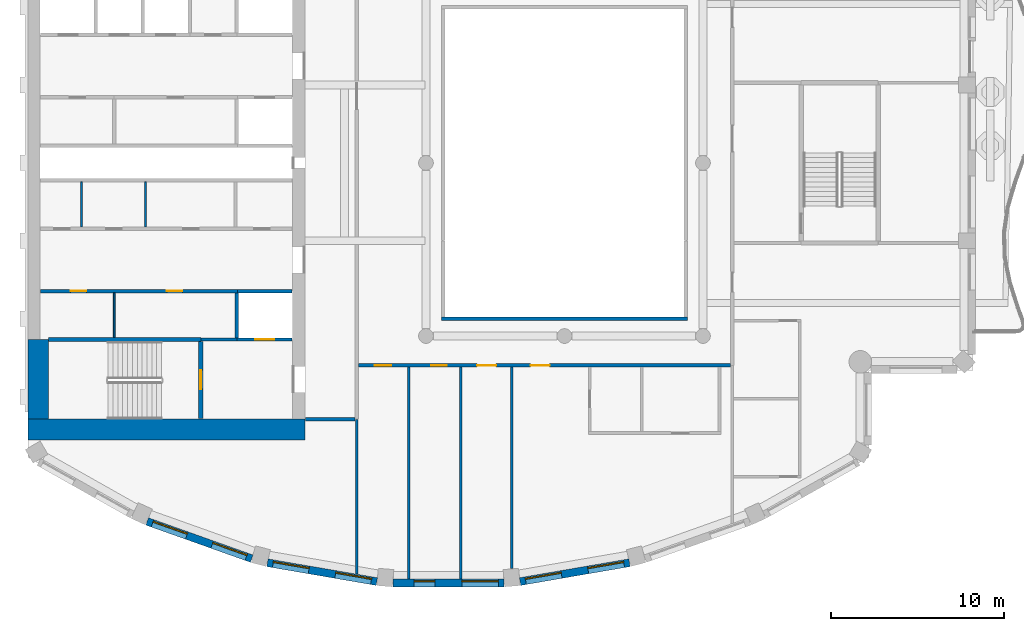
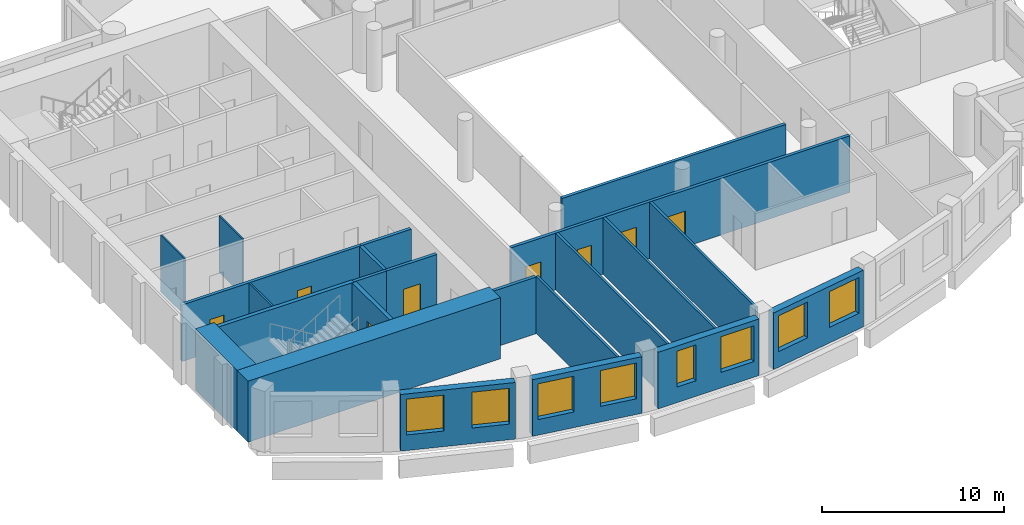
# One storey, part 4 of 14: 23 walls, 8 doors, 8 windows, 16 openings.
"""IFC4 building model written with IfcOpenShell, lengths in metres."""

from ifc_helpers import new_model, si_unit, direction, frame, frame_2d, origin, place, context, subcontext, project, spatial, rectangle, extrude, material, layer, layer_set, type_object, element, fill, save


model = new_model("IFC4")

# Units and contexts
model_context = context("Model", 3, precision=1e-05, world=origin(), true_north=direction((0.0, 1.0)))
body_context = subcontext(model_context, "Body", "Model", "MODEL_VIEW")
ifc_project = project(units=[si_unit("LENGTHUNIT", "METRE"), si_unit("AREAUNIT", "SQUARE_METRE"), si_unit("VOLUMEUNIT", "CUBIC_METRE"), si_unit("PLANEANGLEUNIT", "RADIAN"), si_unit("MASSUNIT", "GRAM", prefix="KILO")], contexts=[model_context])

# Site, building, storey
site_placement = place(None, origin())
site = spatial("IfcSite", under=ifc_project, at=site_placement, CompositionType="ELEMENT")
building_placement = place(site_placement, origin())
building = spatial("IfcBuilding", under=site, at=building_placement, Name="Cypress Arch Tower", CompositionType="ELEMENT")
storey_placement = place(building_placement, frame((0.0, 0.0, 276.199951171875)))
storey = spatial("IfcBuildingStorey", under=building, at=storey_placement, Name="L62", CompositionType="ELEMENT", Elevation=276.199951171875)

# Wall, openings, windows
ifc_material_1 = material(Name="Brick (red buff blend)", Category="masonry")
ifc_layer_1 = layer(ifc_material_1, 0.449951171875)
ifc_layer_set_1 = layer_set([ifc_layer_1], Name="Brick pier and spandrel wall BW450")
wall_type_1 = type_object("IfcWallType", Name="Brick pier and spandrel wall BW450", PredefinedType="SOLIDWALL", material=ifc_layer_set_1)
wall_1_placement = place(storey_placement, frame((-23.10498046875, -20.70947265625, 0.0), z_axis=(0.0, 0.0, 1.0), x_axis=(0.942104058931, -0.335320655711, 0.0)))
wall_1 = element("IfcWall", 1, at=wall_1_placement, inside=storey, type_object=wall_type_1, Name="Brick wall L62 C09.0", PredefinedType="SOLIDWALL", context=body_context, shape_type="SweptSolid", body=[
    extrude(rectangle(XDim=6.411376953125, YDim=0.449951171875, at=frame_2d((3.20556640625, 0.0))), origin(), (0.0, 0.0, 1.0), 3.800048828125),
])
opening_1_placement = place(wall_1_placement, frame((0.3271484375, 0.0, 1.050048828125)))
opening_1 = element("IfcOpeningElement", 2, at=opening_1_placement, cuts=wall_1, Name="Opening W210O", PredefinedType="OPENING", context=body_context, shape_type="SweptSolid", body=[
    extrude(rectangle(XDim=2.10009765625, YDim=2.39990234375, at=frame_2d((1.050048828125, 1.199951171875))), frame((0.0, 0.23486328125, 0.0), z_axis=(0.0, -1.0, 0.0), x_axis=(1.0, 0.0, 0.0)), (0.0, 0.0, 1.0), 0.469970703125),
])
opening_2_placement = place(wall_1_placement, frame((3.984619140625, 0.0, 1.050048828125)))
opening_2 = element("IfcOpeningElement", 3, at=opening_2_placement, cuts=wall_1, Name="Opening W210O", PredefinedType="OPENING", context=body_context, shape_type="SweptSolid", body=[
    extrude(rectangle(XDim=2.10009765625, YDim=2.39990234375, at=frame_2d((1.050048828125, 1.199951171875))), frame((0.0, 0.23486328125, 0.0), z_axis=(0.0, -1.0, 0.0), x_axis=(1.0, 0.0, 0.0)), (0.0, 0.0, 1.0), 0.469970703125),
])
ifc_material_2 = material(Name="Anodised aluminium, bronze finish, clear low-emissivity double glazing", Category="aluminium")
window_type_1 = type_object("IfcWindowType", Name="Window Office 2100x2400", PartitioningType="SINGLE_PANEL", PredefinedType="WINDOW", material=ifc_material_2)
window_1_placement = place(opening_1_placement, origin())
window_1 = element("IfcWindow", 4, at=window_1_placement, inside=storey, type_object=window_type_1, Name="Window L62 C09.0.1", OverallHeight=2.39990234375, OverallWidth=2.10009765625, PartitioningType="SINGLE_PANEL", PredefinedType="WINDOW", context=body_context, shape_type="SweptSolid", body=[
    extrude(rectangle(XDim=2.10009765625, YDim=2.39990234375, at=frame_2d((1.050048828125, 1.199951171875))), frame((0.0, 0.135009765625, 0.0), z_axis=(0.0, -1.0, 0.0), x_axis=(1.0, 0.0, 0.0)), (0.0, 0.0, 1.0), 0.06005859375),
])
fill(opening_1, window_1)
window_2_placement = place(opening_2_placement, origin())
window_2 = element("IfcWindow", 5, at=window_2_placement, inside=storey, type_object=window_type_1, Name="Window L62 C09.0.2", OverallHeight=2.39990234375, OverallWidth=2.10009765625, PartitioningType="SINGLE_PANEL", PredefinedType="WINDOW", context=body_context, shape_type="SweptSolid", body=[
    extrude(rectangle(XDim=2.10009765625, YDim=2.39990234375, at=frame_2d((1.050048828125, 1.199951171875))), frame((0.0, 0.135009765625, 0.0), z_axis=(0.0, -1.0, 0.0), x_axis=(1.0, 0.0, 0.0)), (0.0, 0.0, 1.0), 0.06005859375),
])
fill(opening_2, window_2)

wall_2_placement = place(storey_placement, frame((-16.15673828125, -23.09716796875, 0.0), z_axis=(0.0, 0.0, 1.0), x_axis=(0.985502073964, -0.169663379113, 0.0)))
wall_2 = element("IfcWall", 6, at=wall_2_placement, inside=storey, type_object=wall_type_1, Name="Brick wall L62 C10.0", PredefinedType="SOLIDWALL", context=body_context, shape_type="SweptSolid", body=[
    extrude(rectangle(XDim=6.412109375, YDim=0.449951171875, at=frame_2d((3.2060546875, 0.0))), origin(), (0.0, 0.0, 1.0), 3.800048828125),
])
opening_3_placement = place(wall_2_placement, frame((0.3271484375, 0.0, 1.050048828125)))
opening_3 = element("IfcOpeningElement", 7, at=opening_3_placement, cuts=wall_2, Name="Opening W210O", PredefinedType="OPENING", context=body_context, shape_type="SweptSolid", body=[
    extrude(rectangle(XDim=2.10009765625, YDim=2.39990234375, at=frame_2d((1.050048828125, 1.199951171875))), frame((0.0, 0.23486328125, 0.0), z_axis=(0.0, -1.0, 0.0), x_axis=(1.0, 0.0, 0.0)), (0.0, 0.0, 1.0), 0.469970703125),
])
opening_4_placement = place(wall_2_placement, frame((3.98486328125, 0.0, 1.050048828125)))
opening_4 = element("IfcOpeningElement", 8, at=opening_4_placement, cuts=wall_2, Name="Opening W210O", PredefinedType="OPENING", context=body_context, shape_type="SweptSolid", body=[
    extrude(rectangle(XDim=2.10009765625, YDim=2.39990234375, at=frame_2d((1.050048828125, 1.199951171875))), frame((0.0, 0.23486328125, 0.0), z_axis=(0.0, -1.0, 0.0), x_axis=(1.0, 0.0, 0.0)), (0.0, 0.0, 1.0), 0.469970703125),
])
window_3_placement = place(opening_3_placement, origin())
window_3 = element("IfcWindow", 9, at=window_3_placement, inside=storey, type_object=window_type_1, Name="Window L62 C10.0.1", OverallHeight=2.39990234375, OverallWidth=2.10009765625, PartitioningType="SINGLE_PANEL", PredefinedType="WINDOW", context=body_context, shape_type="SweptSolid", body=[
    extrude(rectangle(XDim=2.10009765625, YDim=2.39990234375, at=frame_2d((1.050048828125, 1.199951171875))), frame((0.0, 0.135009765625, 0.0), z_axis=(0.0, -1.0, 0.0), x_axis=(1.0, 0.0, 0.0)), (0.0, 0.0, 1.0), 0.06005859375),
])
fill(opening_3, window_3)
window_4_placement = place(opening_4_placement, origin())
window_4 = element("IfcWindow", 10, at=window_4_placement, inside=storey, type_object=window_type_1, Name="Window L62 C10.0.2", OverallHeight=2.39990234375, OverallWidth=2.10009765625, PartitioningType="SINGLE_PANEL", PredefinedType="WINDOW", context=body_context, shape_type="SweptSolid", body=[
    extrude(rectangle(XDim=2.10009765625, YDim=2.39990234375, at=frame_2d((1.050048828125, 1.199951171875))), frame((0.0, 0.135009765625, 0.0), z_axis=(0.0, -1.0, 0.0), x_axis=(1.0, 0.0, 0.0)), (0.0, 0.0, 1.0), 0.06005859375),
])
fill(opening_4, window_4)

wall_3_placement = place(storey_placement, frame((-8.90283203125, -24.264892578125, 0.0), z_axis=(0.0, 0.0, 1.0), x_axis=(1.0, 0.0, 0.0)))
wall_3 = element("IfcWall", 11, at=wall_3_placement, inside=storey, type_object=wall_type_1, Name="Brick wall L62 C11.0", PredefinedType="SOLIDWALL", context=body_context, shape_type="SweptSolid", body=[
    extrude(rectangle(XDim=6.405517578125, YDim=0.449951171875, at=frame_2d((3.20263671875, 0.0))), origin(), (0.0, 0.0, 1.0), 3.800048828125),
])
opening_5_placement = place(wall_3_placement, frame((3.97998046875, 0.0, 1.050048828125)))
opening_5 = element("IfcOpeningElement", 12, at=opening_5_placement, cuts=wall_3, Name="Opening W210O", PredefinedType="OPENING", context=body_context, shape_type="SweptSolid", body=[
    extrude(rectangle(XDim=2.10009765625, YDim=2.39990234375, at=frame_2d((1.050048828125, 1.199951171875))), frame((0.0, 0.23486328125, 0.0), z_axis=(0.0, -1.0, 0.0), x_axis=(1.0, 0.0, 0.0)), (0.0, 0.0, 1.0), 0.469970703125),
])
opening_6_placement = place(wall_3_placement, frame((1.214111328125, 0.0, 1.050048828125)))
opening_6 = element("IfcOpeningElement", 13, at=opening_6_placement, cuts=wall_3, Name="Opening W120O", PredefinedType="OPENING", context=body_context, shape_type="SweptSolid", body=[
    extrude(rectangle(XDim=1.199951171875, YDim=2.39990234375, at=frame_2d((0.60009765625, 1.199951171875))), frame((0.0, 0.23486328125, 0.0), z_axis=(0.0, -1.0, 0.0), x_axis=(1.0, 0.0, 0.0)), (0.0, 0.0, 1.0), 0.469970703125),
])
ifc_material_3 = material(Name="Anodised aluminium, bronze finish, clear low-emissivity double glazing", Category="aluminium")
window_type_2 = type_object("IfcWindowType", Name="Window Office 1200x2400", PartitioningType="SINGLE_PANEL", PredefinedType="WINDOW", material=ifc_material_3)
window_5_placement = place(opening_6_placement, origin())
window_5 = element("IfcWindow", 14, at=window_5_placement, inside=storey, type_object=window_type_2, Name="Window L62 C11.0.1", OverallHeight=2.39990234375, OverallWidth=1.199951171875, PartitioningType="SINGLE_PANEL", PredefinedType="WINDOW", context=body_context, shape_type="SweptSolid", body=[
    extrude(rectangle(XDim=1.199951171875, YDim=2.39990234375, at=frame_2d((0.60009765625, 1.199951171875))), frame((0.0, 0.135009765625, 0.0), z_axis=(0.0, -1.0, 0.0), x_axis=(1.0, 0.0, 0.0)), (0.0, 0.0, 1.0), 0.06005859375),
])
fill(opening_6, window_5)
window_6_placement = place(opening_5_placement, origin())
window_6 = element("IfcWindow", 15, at=window_6_placement, inside=storey, type_object=window_type_1, Name="Window L62 C11.0.2", OverallHeight=2.39990234375, OverallWidth=2.10009765625, PartitioningType="SINGLE_PANEL", PredefinedType="WINDOW", context=body_context, shape_type="SweptSolid", body=[
    extrude(rectangle(XDim=2.10009765625, YDim=2.39990234375, at=frame_2d((1.050048828125, 1.199951171875))), frame((0.0, 0.135009765625, 0.0), z_axis=(0.0, -1.0, 0.0), x_axis=(1.0, 0.0, 0.0)), (0.0, 0.0, 1.0), 0.06005859375),
])
fill(opening_5, window_6)

wall_4_placement = place(storey_placement, frame((-1.562255859375, -24.18505859375, 0.0), z_axis=(0.0, 0.0, 1.0), x_axis=(0.985502073964, 0.169663379113, 0.0)))
wall_4 = element("IfcWall", 16, at=wall_4_placement, inside=storey, type_object=wall_type_1, Name="Brick wall L62 C12.0", PredefinedType="SOLIDWALL", context=body_context, shape_type="SweptSolid", body=[
    extrude(rectangle(XDim=6.412109375, YDim=0.449951171875, at=frame_2d((3.2060546875, 0.0))), origin(), (0.0, 0.0, 1.0), 3.800048828125),
])
opening_7_placement = place(wall_4_placement, frame((0.3271484375, 0.0, 1.050048828125)))
opening_7 = element("IfcOpeningElement", 17, at=opening_7_placement, cuts=wall_4, Name="Opening W210O", PredefinedType="OPENING", context=body_context, shape_type="SweptSolid", body=[
    extrude(rectangle(XDim=2.10009765625, YDim=2.39990234375, at=frame_2d((1.050048828125, 1.199951171875))), frame((0.0, 0.23486328125, 0.0), z_axis=(0.0, -1.0, 0.0), x_axis=(1.0, 0.0, 0.0)), (0.0, 0.0, 1.0), 0.469970703125),
])
opening_8_placement = place(wall_4_placement, frame((3.98486328125, 0.0, 1.050048828125)))
opening_8 = element("IfcOpeningElement", 18, at=opening_8_placement, cuts=wall_4, Name="Opening W210O", PredefinedType="OPENING", context=body_context, shape_type="SweptSolid", body=[
    extrude(rectangle(XDim=2.10009765625, YDim=2.39990234375, at=frame_2d((1.050048828125, 1.199951171875))), frame((0.0, 0.23486328125, 0.0), z_axis=(0.0, -1.0, 0.0), x_axis=(1.0, 0.0, 0.0)), (0.0, 0.0, 1.0), 0.469970703125),
])
window_7_placement = place(opening_7_placement, origin())
window_7 = element("IfcWindow", 19, at=window_7_placement, inside=storey, type_object=window_type_1, Name="Window L62 C12.0.1", OverallHeight=2.39990234375, OverallWidth=2.10009765625, PartitioningType="SINGLE_PANEL", PredefinedType="WINDOW", context=body_context, shape_type="SweptSolid", body=[
    extrude(rectangle(XDim=2.10009765625, YDim=2.39990234375, at=frame_2d((1.050048828125, 1.199951171875))), frame((0.0, 0.135009765625, 0.0), z_axis=(0.0, -1.0, 0.0), x_axis=(1.0, 0.0, 0.0)), (0.0, 0.0, 1.0), 0.06005859375),
])
fill(opening_7, window_7)
window_8_placement = place(opening_8_placement, origin())
window_8 = element("IfcWindow", 20, at=window_8_placement, inside=storey, type_object=window_type_1, Name="Window L62 C12.0.2", OverallHeight=2.39990234375, OverallWidth=2.10009765625, PartitioningType="SINGLE_PANEL", PredefinedType="WINDOW", context=body_context, shape_type="SweptSolid", body=[
    extrude(rectangle(XDim=2.10009765625, YDim=2.39990234375, at=frame_2d((1.050048828125, 1.199951171875))), frame((0.0, 0.135009765625, 0.0), z_axis=(0.0, -1.0, 0.0), x_axis=(1.0, 0.0, 0.0)), (0.0, 0.0, 1.0), 0.06005859375),
])
fill(opening_8, window_8)

# Walls
ifc_material_4 = material(Name="Concrete C60/75", Category="concrete")
ifc_layer_2 = layer(ifc_material_4, 1.199951171875)
ifc_layer_set_2 = layer_set([ifc_layer_2], Name="Core wall CW1200 C60/75")
wall_type_2 = type_object("IfcWallType", Name="Core wall CW1200 C60/75", PredefinedType="SHEAR", material=ifc_layer_set_2)
wall_5_placement = place(storey_placement, frame((-30.0, -15.39990234375, 0.0), z_axis=(0.0, 0.0, 1.0), x_axis=(1.0, 0.0, 0.0)))
element("IfcWall", 21, at=wall_5_placement, inside=storey, type_object=wall_type_2, Name="Core wall", PredefinedType="SHEAR", context=body_context, shape_type="SweptSolid", body=[
    extrude(rectangle(XDim=16.0, YDim=1.199951171875, at=frame_2d((8.0, 0.0))), origin(), (0.0, 0.0, 1.0), 4.10009765625),
])
wall_6_placement = place(storey_placement, frame((-29.39990234375, -14.800048828125, 0.0), z_axis=(0.0, 0.0, 1.0), x_axis=(0.0, 1.0, 0.0)))
element("IfcWall", 22, at=wall_6_placement, inside=storey, type_object=wall_type_2, Name="Core wall", PredefinedType="SHEAR", context=body_context, shape_type="SweptSolid", body=[
    extrude(rectangle(XDim=4.60009765625, YDim=1.199951171875, at=frame_2d((2.300048828125, 0.0))), origin(), (0.0, 0.0, 1.0), 4.10009765625),
])

# Wall, openings, doors
ifc_material_5 = material(Name="Concrete blockwork, plastered, rated", Category="masonry")
ifc_layer_3 = layer(ifc_material_5, 0.199951171875)
ifc_layer_set_3 = layer_set([ifc_layer_3], Name="Corridor wall FW200")
wall_type_3 = type_object("IfcWallType", Name="Corridor wall FW200", PredefinedType="PARTITIONING", material=ifc_layer_set_3)
wall_7_placement = place(storey_placement, frame((-29.27001953125, -7.39990234375, 0.0), z_axis=(0.0, 0.0, 1.0), x_axis=(1.0, 0.0, 0.0)))
wall_7 = element("IfcWall", 23, at=wall_7_placement, inside=storey, type_object=wall_type_3, Name="Corridor wall", PredefinedType="PARTITIONING", context=body_context, shape_type="SweptSolid", body=[
    extrude(rectangle(XDim=11.3701171875, YDim=0.199951171875, at=frame_2d((5.68505859375, 0.0))), origin(), (0.0, 0.0, 1.0), 3.800048828125),
])
opening_9_placement = place(wall_7_placement, frame((1.75, 0.0, 0.0)))
opening_9 = element("IfcOpeningElement", 24, at=opening_9_placement, cuts=wall_7, Name="Opening D05", PredefinedType="OPENING", context=body_context, shape_type="SweptSolid", body=[
    extrude(rectangle(XDim=0.89990234375, YDim=2.199951171875, at=frame_2d((0.449951171875, 1.10009765625))), frame((0.0, 0.10986328125, 0.0), z_axis=(0.0, -1.0, 0.0), x_axis=(1.0, 0.0, 0.0)), (0.0, 0.0, 1.0), 0.219970703125),
])
opening_10_placement = place(wall_7_placement, frame((7.300048828125, 0.0, 0.0)))
opening_10 = element("IfcOpeningElement", 25, at=opening_10_placement, cuts=wall_7, Name="Opening D05", PredefinedType="OPENING", context=body_context, shape_type="SweptSolid", body=[
    extrude(rectangle(XDim=0.89990234375, YDim=2.199951171875, at=frame_2d((0.449951171875, 1.10009765625))), frame((0.0, 0.10986328125, 0.0), z_axis=(0.0, -1.0, 0.0), x_axis=(1.0, 0.0, 0.0)), (0.0, 0.0, 1.0), 0.219970703125),
])
ifc_material_6 = material(Name="Timber flush door", Category="wood")
door_type_1 = type_object("IfcDoorType", Name="Service door D05 900x2200", OperationType="SINGLE_SWING_LEFT", PredefinedType="DOOR", material=ifc_material_6)
door_1_placement = place(opening_9_placement, origin())
door_1 = element("IfcDoor", 26, at=door_1_placement, inside=storey, type_object=door_type_1, Name="Service door", OperationType="SINGLE_SWING_LEFT", OverallHeight=2.199951171875, OverallWidth=0.89990234375, PredefinedType="DOOR", context=body_context, shape_type="SweptSolid", body=[
    extrude(rectangle(XDim=0.89990234375, YDim=2.199951171875, at=frame_2d((0.449951171875, 1.10009765625))), frame((0.0, 0.02490234375, 0.0), z_axis=(0.0, -1.0, 0.0), x_axis=(1.0, 0.0, 0.0)), (0.0, 0.0, 1.0), 0.050048828125),
])
fill(opening_9, door_1)
door_2_placement = place(opening_10_placement, origin())
door_2 = element("IfcDoor", 27, at=door_2_placement, inside=storey, type_object=door_type_1, Name="Service door", OperationType="SINGLE_SWING_RIGHT", OverallHeight=2.199951171875, OverallWidth=0.89990234375, PredefinedType="DOOR", context=body_context, shape_type="SweptSolid", body=[
    extrude(rectangle(XDim=0.89990234375, YDim=2.199951171875, at=frame_2d((0.449951171875, 1.10009765625))), frame((0.0, 0.02490234375, 0.0), z_axis=(0.0, -1.0, 0.0), x_axis=(1.0, 0.0, 0.0)), (0.0, 0.0, 1.0), 0.050048828125),
])
fill(opening_10, door_2)

# Walls
wall_8_placement = place(storey_placement, frame((-20.0, -10.199951171875, 0.0), z_axis=(0.0, 0.0, 1.0), x_axis=(1.0, 0.0, 0.0)))
element("IfcWall", 28, at=wall_8_placement, inside=storey, type_object=wall_type_3, Name="Corridor wall", PredefinedType="PARTITIONING", context=body_context, shape_type="SweptSolid", body=[
    extrude(rectangle(XDim=2.080078125, YDim=0.199951171875, at=frame_2d((1.0400390625, 0.0))), origin(), (0.0, 0.0, 1.0), 3.800048828125),
])
wall_9_placement = place(storey_placement, frame((-13.969970703125, -14.800048828125, 0.0), z_axis=(0.0, 0.0, 1.0), x_axis=(1.0, 0.0, 0.0)))
element("IfcWall", 29, at=wall_9_placement, inside=storey, type_object=wall_type_3, Name="Corridor wall", PredefinedType="PARTITIONING", context=body_context, shape_type="SweptSolid", body=[
    extrude(rectangle(XDim=2.869873046875, YDim=0.199951171875, at=frame_2d((1.43505859375, 0.0))), origin(), (0.0, 0.0, 1.0), 3.800048828125),
])

# Wall, openings, doors
wall_10_placement = place(storey_placement, frame((-10.89990234375, -11.699951171875, 0.0), z_axis=(0.0, 0.0, 1.0), x_axis=(1.0, 0.0, 0.0)))
wall_10 = element("IfcWall", 30, at=wall_10_placement, inside=storey, type_object=wall_type_3, Name="Corridor wall", PredefinedType="PARTITIONING", context=body_context, shape_type="SweptSolid", body=[
    extrude(rectangle(XDim=21.5, YDim=0.199951171875, at=frame_2d((10.75, 0.0))), origin(), (0.0, 0.0, 1.0), 3.800048828125),
])
opening_11_placement = place(wall_10_placement, frame((0.949951171875, 0.0, 0.0)))
opening_11 = element("IfcOpeningElement", 31, at=opening_11_placement, cuts=wall_10, Name="Opening D02", PredefinedType="OPENING", context=body_context, shape_type="SweptSolid", body=[
    extrude(rectangle(XDim=0.949951171875, YDim=2.199951171875, at=frame_2d((0.47509765625, 1.10009765625))), frame((0.0, 0.10986328125, 0.0), z_axis=(0.0, -1.0, 0.0), x_axis=(1.0, 0.0, 0.0)), (0.0, 0.0, 1.0), 0.219970703125),
])
opening_12_placement = place(wall_10_placement, frame((4.199951171875, 0.0, 0.0)))
opening_12 = element("IfcOpeningElement", 32, at=opening_12_placement, cuts=wall_10, Name="Opening D05", PredefinedType="OPENING", context=body_context, shape_type="SweptSolid", body=[
    extrude(rectangle(XDim=0.89990234375, YDim=2.199951171875, at=frame_2d((0.449951171875, 1.10009765625))), frame((0.0, 0.10986328125, 0.0), z_axis=(0.0, -1.0, 0.0), x_axis=(1.0, 0.0, 0.0)), (0.0, 0.0, 1.0), 0.219970703125),
])
opening_13_placement = place(wall_10_placement, frame((6.85009765625, 0.0, 0.0)))
opening_13 = element("IfcOpeningElement", 33, at=opening_13_placement, cuts=wall_10, Name="Opening D01", PredefinedType="OPENING", context=body_context, shape_type="SweptSolid", body=[
    extrude(rectangle(XDim=1.10009765625, YDim=2.39990234375, at=frame_2d((0.550048828125, 1.199951171875))), frame((0.0, 0.10986328125, 0.0), z_axis=(0.0, -1.0, 0.0), x_axis=(1.0, 0.0, 0.0)), (0.0, 0.0, 1.0), 0.219970703125),
])
opening_14_placement = place(wall_10_placement, frame((9.949951171875, 0.0, 0.0)))
opening_14 = element("IfcOpeningElement", 34, at=opening_14_placement, cuts=wall_10, Name="Opening D01", PredefinedType="OPENING", context=body_context, shape_type="SweptSolid", body=[
    extrude(rectangle(XDim=1.10009765625, YDim=2.39990234375, at=frame_2d((0.550048828125, 1.199951171875))), frame((0.0, 0.10986328125, 0.0), z_axis=(0.0, -1.0, 0.0), x_axis=(1.0, 0.0, 0.0)), (0.0, 0.0, 1.0), 0.219970703125),
])
ifc_material_7 = material(Name="Timber flush door, fire resisting", Category="wood")
door_type_2 = type_object("IfcDoorType", Name="Room door D02 950x2200", OperationType="SINGLE_SWING_LEFT", PredefinedType="DOOR", material=ifc_material_7)
door_3_placement = place(opening_11_placement, origin())
door_3 = element("IfcDoor", 35, at=door_3_placement, inside=storey, type_object=door_type_2, Name="Room door", OperationType="SINGLE_SWING_LEFT", OverallHeight=2.199951171875, OverallWidth=0.949951171875, PredefinedType="DOOR", context=body_context, shape_type="SweptSolid", body=[
    extrude(rectangle(XDim=0.949951171875, YDim=2.199951171875, at=frame_2d((0.47509765625, 1.10009765625))), frame((0.0, 0.02490234375, 0.0), z_axis=(0.0, -1.0, 0.0), x_axis=(1.0, 0.0, 0.0)), (0.0, 0.0, 1.0), 0.050048828125),
])
fill(opening_11, door_3)
door_4_placement = place(opening_12_placement, origin())
door_4 = element("IfcDoor", 36, at=door_4_placement, inside=storey, type_object=door_type_1, Name="Service door", OperationType="SINGLE_SWING_LEFT", OverallHeight=2.199951171875, OverallWidth=0.89990234375, PredefinedType="DOOR", context=body_context, shape_type="SweptSolid", body=[
    extrude(rectangle(XDim=0.89990234375, YDim=2.199951171875, at=frame_2d((0.449951171875, 1.10009765625))), frame((0.0, 0.02490234375, 0.0), z_axis=(0.0, -1.0, 0.0), x_axis=(1.0, 0.0, 0.0)), (0.0, 0.0, 1.0), 0.050048828125),
])
fill(opening_12, door_4)
ifc_material_8 = material(Name="Timber flush door, fire resisting, self-closing", Category="wood")
door_type_3 = type_object("IfcDoorType", Name="Unit entrance door D01 1100x2400", OperationType="SINGLE_SWING_LEFT", PredefinedType="DOOR", material=ifc_material_8)
door_5_placement = place(opening_13_placement, origin())
door_5 = element("IfcDoor", 37, at=door_5_placement, inside=storey, type_object=door_type_3, Name="Unit entrance door", OperationType="SINGLE_SWING_LEFT", OverallHeight=2.39990234375, OverallWidth=1.10009765625, PredefinedType="DOOR", context=body_context, shape_type="SweptSolid", body=[
    extrude(rectangle(XDim=1.10009765625, YDim=2.39990234375, at=frame_2d((0.550048828125, 1.199951171875))), frame((0.0, 0.02490234375, 0.0), z_axis=(0.0, -1.0, 0.0), x_axis=(1.0, 0.0, 0.0)), (0.0, 0.0, 1.0), 0.050048828125),
])
fill(opening_13, door_5)
door_6_placement = place(opening_14_placement, origin())
door_6 = element("IfcDoor", 38, at=door_6_placement, inside=storey, type_object=door_type_3, Name="Unit entrance door", OperationType="SINGLE_SWING_RIGHT", OverallHeight=2.39990234375, OverallWidth=1.10009765625, PredefinedType="DOOR", context=body_context, shape_type="SweptSolid", body=[
    extrude(rectangle(XDim=1.10009765625, YDim=2.39990234375, at=frame_2d((0.550048828125, 1.199951171875))), frame((0.0, 0.02490234375, 0.0), z_axis=(0.0, -1.0, 0.0), x_axis=(1.0, 0.0, 0.0)), (0.0, 0.0, 1.0), 0.050048828125),
])
fill(opening_14, door_6)

# Walls
wall_11_placement = place(storey_placement, frame((-6.10009765625, -9.0, 0.0), z_axis=(0.0, 0.0, 1.0), x_axis=(1.0, 0.0, 0.0)))
element("IfcWall", 39, at=wall_11_placement, inside=storey, type_object=wall_type_3, Name="Corridor wall", PredefinedType="PARTITIONING", context=body_context, shape_type="SweptSolid", body=[
    extrude(rectangle(XDim=14.2001953125, YDim=0.199951171875, at=frame_2d((7.10009765625, 0.0))), origin(), (0.0, 0.0, 1.0), 3.800048828125),
])
ifc_material_9 = material(Name="Blockwork, plastered both sides", Category="masonry")
ifc_layer_4 = layer(ifc_material_9, 0.14990234375)
ifc_layer_set_4 = layer_set([ifc_layer_4], Name="Partition PW150")
wall_type_4 = type_object("IfcWallType", Name="Partition PW150", PredefinedType="PARTITIONING", material=ifc_layer_set_4)
wall_12_placement = place(storey_placement, frame((-11.0, -23.756591796875, 0.0), z_axis=(0.0, 0.0, 1.0), x_axis=(0.0, 1.0, 0.0)))
element("IfcWall", 40, at=wall_12_placement, inside=storey, type_object=wall_type_4, Name="Partition", PredefinedType="PARTITIONING", context=body_context, shape_type="SweptSolid", body=[
    extrude(rectangle(XDim=8.9365234375, YDim=0.14990234375, at=frame_2d((4.46826171875, 0.0))), origin(), (0.0, 0.0, 1.0), 3.800048828125),
])
for number, where, z_axis, x_axis, name in (
    (41, (-8.0, -24.0400390625, 0.0), (0.0, 0.0, 1.0), (0.0, 1.0, 0.0), "Partition"),
    (42, (-5.0, -24.0400390625, 0.0), (0.0, 0.0, 1.0), (0.0, 1.0, 0.0), "Partition"),
):
    element("IfcWall", number, at=place(storey_placement, frame(where, z_axis=z_axis, x_axis=x_axis)), inside=storey, type_object=wall_type_4, Name=name, PredefinedType="PARTITIONING", context=body_context, shape_type="SweptSolid", body=[
        extrude(rectangle(XDim=12.239990234375, YDim=0.14990234375, at=frame_2d((6.1201171875, 0.0))), origin(), (0.0, 0.0, 1.0), 3.800048828125),
    ])
wall_13_placement = place(storey_placement, frame((-2.0458984375, -23.441162109375, 0.0), z_axis=(0.0, 0.0, 1.0), x_axis=(0.0, 1.0, 0.0)))
element("IfcWall", 43, at=wall_13_placement, inside=storey, type_object=wall_type_4, Name="Partition", PredefinedType="PARTITIONING", context=body_context, shape_type="SweptSolid", body=[
    extrude(rectangle(XDim=11.64111328125, YDim=0.14990234375, at=frame_2d((5.820556640625, 0.0))), origin(), (0.0, 0.0, 1.0), 3.800048828125),
])
ifc_material_10 = material(Name="Concrete C50/60", Category="concrete")
ifc_layer_5 = layer(ifc_material_10, 0.199951171875)
ifc_layer_set_5 = layer_set([ifc_layer_5], Name="Shaft wall SH200")
wall_type_5 = type_object("IfcWallType", Name="Shaft wall SH200", PredefinedType="SHEAR", material=ifc_layer_set_5)
wall_14_placement = place(storey_placement, frame((-17.919921875, -10.10009765625, 0.0), z_axis=(0.0, 0.0, 1.0), x_axis=(0.0, 1.0, 0.0)))
element("IfcWall", 44, at=wall_14_placement, inside=storey, type_object=wall_type_5, Name="Shaft wall", PredefinedType="SHEAR", context=body_context, shape_type="SweptSolid", body=[
    extrude(rectangle(XDim=2.60009765625, YDim=0.199951171875, at=frame_2d((1.300048828125, 0.0))), origin(), (0.0, 0.0, 1.0), 3.800048828125),
])

# Wall, opening, door
wall_15_placement = place(storey_placement, frame((-17.919921875, -10.199951171875, 0.0), z_axis=(0.0, 0.0, 1.0), x_axis=(1.0, 0.0, 0.0)))
wall_15 = element("IfcWall", 45, at=wall_15_placement, inside=storey, type_object=wall_type_5, Name="Shaft wall", PredefinedType="SHEAR", context=body_context, shape_type="SweptSolid", body=[
    extrude(rectangle(XDim=3.18994140625, YDim=0.199951171875, at=frame_2d((1.594970703125, 0.0))), origin(), (0.0, 0.0, 1.0), 3.800048828125),
])
opening_15_placement = place(wall_15_placement, frame((1.050048828125, 0.0, 0.0)))
opening_15 = element("IfcOpeningElement", 46, at=opening_15_placement, cuts=wall_15, Name="Opening LD-FL1", PredefinedType="OPENING", context=body_context, shape_type="SweptSolid", body=[
    extrude(rectangle(XDim=1.10009765625, YDim=2.199951171875, at=frame_2d((0.550048828125, 1.10009765625))), frame((0.0, 0.10986328125, 0.0), z_axis=(0.0, -1.0, 0.0), x_axis=(1.0, 0.0, 0.0)), (0.0, 0.0, 1.0), 0.219970703125),
])
ifc_material_11 = material(Name="Stainless steel centre-opening landing door, rated", Category="steel")
door_type_4 = type_object("IfcDoorType", Name="Lift landing door LD 1100x2200", OperationType="DOUBLE_DOOR_SLIDING", PredefinedType="DOOR", material=ifc_material_11)
door_7_placement = place(opening_15_placement, origin())
door_7 = element("IfcDoor", 47, at=door_7_placement, inside=storey, type_object=door_type_4, Name="Lift landing doors FL1", OperationType="DOUBLE_DOOR_SLIDING", OverallHeight=2.199951171875, OverallWidth=1.10009765625, PredefinedType="DOOR", context=body_context, shape_type="SweptSolid", body=[
    extrude(rectangle(XDim=1.10009765625, YDim=2.199951171875, at=frame_2d((0.550048828125, 1.10009765625))), frame((0.0, 0.02490234375, 0.0), z_axis=(0.0, -1.0, 0.0), x_axis=(1.0, 0.0, 0.0)), (0.0, 0.0, 1.0), 0.050048828125),
])
fill(opening_15, door_7)

# Walls
wall_16_placement = place(storey_placement, frame((-17.89990234375, -7.39990234375, 0.0), z_axis=(0.0, 0.0, 1.0), x_axis=(1.0, 0.0, 0.0)))
element("IfcWall", 48, at=wall_16_placement, inside=storey, type_object=wall_type_5, Name="Shaft wall", PredefinedType="SHEAR", context=body_context, shape_type="SweptSolid", body=[
    extrude(rectangle(XDim=3.169921875, YDim=0.199951171875, at=frame_2d((1.5849609375, 0.0))), origin(), (0.0, 0.0, 1.0), 3.800048828125),
])
ifc_material_12 = material(Name="Concrete C50/60", Category="concrete")
ifc_layer_6 = layer(ifc_material_12, 0.25)
ifc_layer_set_6 = layer_set([ifc_layer_6], Name="Stair enclosure wall SW250")
wall_type_6 = type_object("IfcWallType", Name="Stair enclosure wall SW250", PredefinedType="SHEAR", material=ifc_layer_set_6)
wall_17_placement = place(storey_placement, frame((-28.81005859375, -10.199951171875, 0.0), z_axis=(0.0, 0.0, 1.0), x_axis=(1.0, 0.0, 0.0)))
element("IfcWall", 49, at=wall_17_placement, inside=storey, type_object=wall_type_6, Name="Stair enclosure wall", PredefinedType="SHEAR", context=body_context, shape_type="SweptSolid", body=[
    extrude(rectangle(XDim=8.81005859375, YDim=0.25, at=frame_2d((4.405029296875, 0.0))), origin(), (0.0, 0.0, 1.0), 3.800048828125),
])

# Wall, opening, door
wall_18_placement = place(storey_placement, frame((-20.0, -14.77001953125, 0.0), z_axis=(0.0, 0.0, 1.0), x_axis=(0.0, 1.0, 0.0)))
wall_18 = element("IfcWall", 50, at=wall_18_placement, inside=storey, type_object=wall_type_6, Name="Stair enclosure wall", PredefinedType="SHEAR", context=body_context, shape_type="SweptSolid", body=[
    extrude(rectangle(XDim=4.445068359375, YDim=0.25, at=frame_2d((2.22265625, 0.0))), origin(), (0.0, 0.0, 1.0), 3.800048828125),
])
opening_16_placement = place(wall_18_placement, frame((1.699951171875, 0.0, 0.0)))
opening_16 = element("IfcOpeningElement", 51, at=opening_16_placement, cuts=wall_18, Name="Opening D06", PredefinedType="OPENING", context=body_context, shape_type="SweptSolid", body=[
    extrude(rectangle(XDim=1.10009765625, YDim=2.199951171875, at=frame_2d((0.550048828125, 1.10009765625))), frame((0.0, 0.135009765625, 0.0), z_axis=(0.0, -1.0, 0.0), x_axis=(1.0, 0.0, 0.0)), (0.0, 0.0, 1.0), 0.27001953125),
])
ifc_material_13 = material(Name="Steel door, fire resisting, panic bar", Category="steel")
door_type_5 = type_object("IfcDoorType", Name="Stair door D06 1100x2200", OperationType="SINGLE_SWING_LEFT", PredefinedType="DOOR", material=ifc_material_13)
door_8_placement = place(opening_16_placement, origin())
door_8 = element("IfcDoor", 52, at=door_8_placement, inside=storey, type_object=door_type_5, Name="Stair door", OperationType="SINGLE_SWING_RIGHT", OverallHeight=2.199951171875, OverallWidth=1.10009765625, PredefinedType="DOOR", context=body_context, shape_type="SweptSolid", body=[
    extrude(rectangle(XDim=1.10009765625, YDim=2.199951171875, at=frame_2d((0.550048828125, 1.10009765625))), frame((0.0, 0.02490234375, 0.0), z_axis=(0.0, -1.0, 0.0), x_axis=(1.0, 0.0, 0.0)), (0.0, 0.0, 1.0), 0.050048828125),
])
fill(opening_16, door_8)

# Walls
ifc_material_14 = material(Name="Moisture resistant board on steel studs, tiled", Category="steel")
ifc_layer_7 = layer(ifc_material_14, 0.10009765625)
ifc_layer_set_7 = layer_set([ifc_layer_7], Name="Wet wall PW100")
wall_type_7 = type_object("IfcWallType", Name="Wet wall PW100", PredefinedType="PARTITIONING", material=ifc_layer_set_7)
wall_19_placement = place(storey_placement, frame((-26.89990234375, -3.699951171875, 0.0), z_axis=(0.0, 0.0, 1.0), x_axis=(0.0, 1.0, 0.0)))
element("IfcWall", 53, at=wall_19_placement, inside=storey, type_object=wall_type_7, Name="Wet wall", PredefinedType="PARTITIONING", context=body_context, shape_type="SweptSolid", body=[
    extrude(rectangle(XDim=2.599853515625, YDim=0.10009765625, at=frame_2d((1.2998046875, 0.0))), origin(), (0.0, 0.0, 1.0), 3.800048828125),
])
wall_20_placement = place(storey_placement, frame((-25.0, -10.074951171875, 0.0), z_axis=(0.0, 0.0, 1.0), x_axis=(0.0, 1.0, 0.0)))
element("IfcWall", 54, at=wall_20_placement, inside=storey, type_object=wall_type_7, Name="Wet wall", PredefinedType="PARTITIONING", context=body_context, shape_type="SweptSolid", body=[
    extrude(rectangle(XDim=2.574951171875, YDim=0.10009765625, at=frame_2d((1.28759765625, 0.0))), origin(), (0.0, 0.0, 1.0), 3.800048828125),
])
wall_21_placement = place(storey_placement, frame((-23.199951171875, -3.699951171875, 0.0), z_axis=(0.0, 0.0, 1.0), x_axis=(0.0, 1.0, 0.0)))
element("IfcWall", 55, at=wall_21_placement, inside=storey, type_object=wall_type_7, Name="Wet wall", PredefinedType="PARTITIONING", context=body_context, shape_type="SweptSolid", body=[
    extrude(rectangle(XDim=2.599853515625, YDim=0.10009765625, at=frame_2d((1.2998046875, 0.0))), origin(), (0.0, 0.0, 1.0), 3.800048828125),
])

save(model, "model.ifc")
